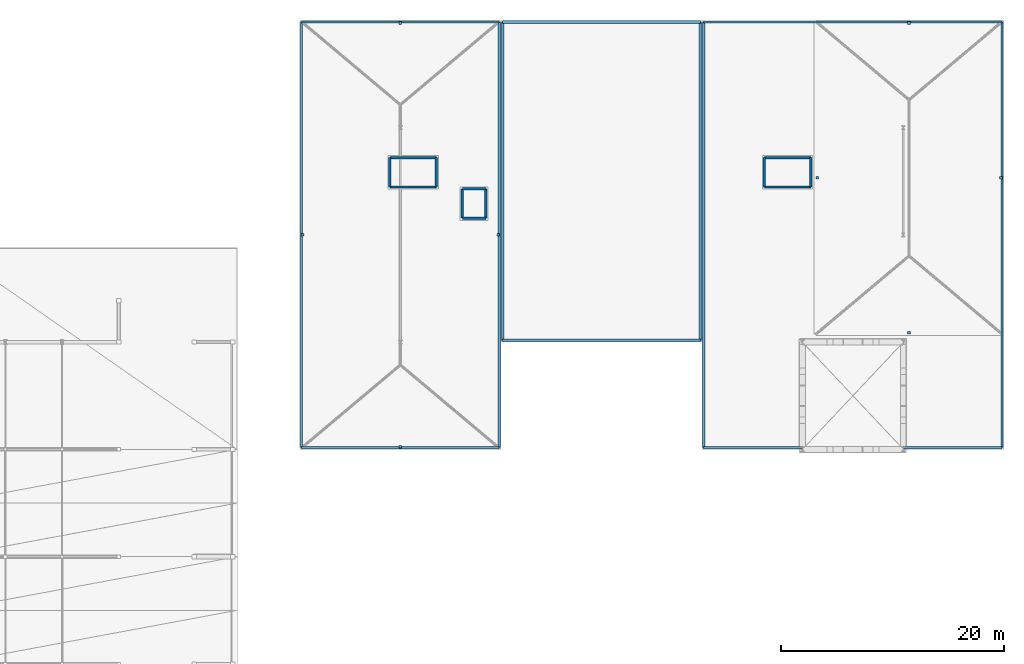
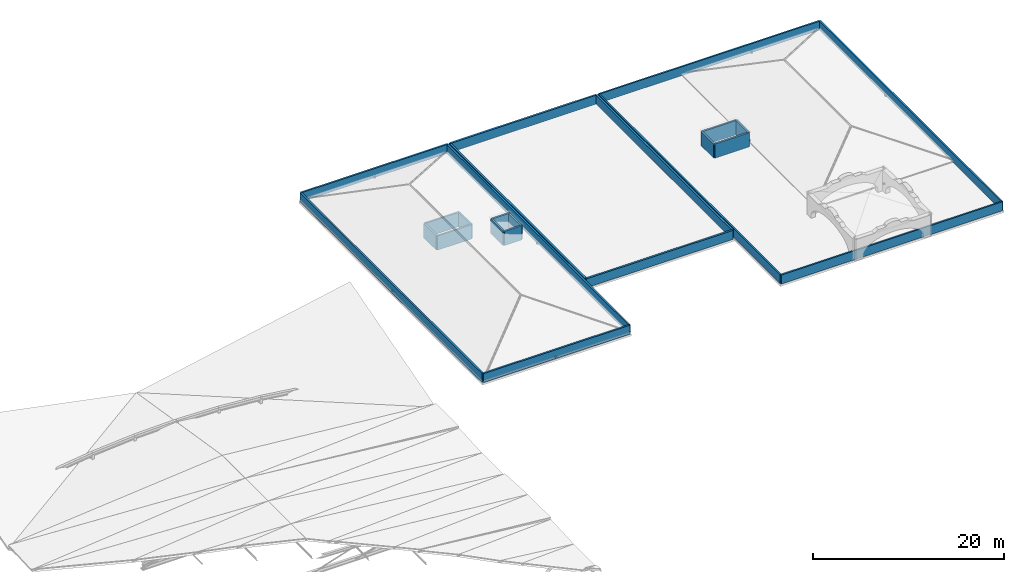
# One storey, part 14 of 16: 24 walls, 8 discrete accessories.
"""IFC4 building model written with IfcOpenShell, lengths in metres."""

from ifc_helpers import new_model, si_unit, direction, frame, frame_2d, origin, origin_2d, place, context, subcontext, project, spatial, rectangle, extrude, material, layer, layer_set, type_object, element, save


model = new_model("IFC4")

# Units and contexts
model_context = context("Model", 3, precision=1e-05, world=origin(), true_north=direction((0.0, 1.0)))
body_context = subcontext(model_context, "Body", "Model", "MODEL_VIEW")
ifc_project = project(units=[si_unit("LENGTHUNIT", "METRE"), si_unit("AREAUNIT", "SQUARE_METRE"), si_unit("VOLUMEUNIT", "CUBIC_METRE"), si_unit("PLANEANGLEUNIT", "RADIAN"), si_unit("MASSUNIT", "GRAM", prefix="KILO")], contexts=[model_context])

# Site, building, storey
site_placement = place(None, origin())
site = spatial("IfcSite", under=ifc_project, at=site_placement, CompositionType="ELEMENT")
building_placement = place(site_placement, origin())
building = spatial("IfcBuilding", under=site, at=building_placement, Name="Myrtia Square Station", CompositionType="ELEMENT")
storey_placement = place(building_placement, frame((0.0, 0.0, 22.800048828125)))
storey = spatial("IfcBuildingStorey", under=building, at=storey_placement, Name="RF", CompositionType="ELEMENT", Elevation=22.800048828125)

# Walls
ifc_material_1 = material(Name="Concrete C35/45", Category="concrete")
ifc_layer_1 = layer(ifc_material_1, 0.219970703125, Name="Concrete C35/45")
ifc_layer_set_1 = layer_set([ifc_layer_1], Name="Concrete C35/45")
wall_type_1 = type_object("IfcWallType", Name="WL-LIFT-220", PredefinedType="SHEAR", material=ifc_layer_set_1)
for number, where, z_axis, x_axis, name in (
    (1, (140.5400390625, 107.090087890625, 0.0), (0.0, 0.0, 1.0), (1.0, 0.0, 0.0), "Lift overrun enclosure wall PL-08 S"),
    (2, (140.5400390625, 109.7099609375, 0.0), (0.0, 0.0, 1.0), (1.0, 0.0, 0.0), "Lift overrun enclosure wall PL-08 N"),
):
    element("IfcWall", number, at=place(storey_placement, frame(where, z_axis=z_axis, x_axis=x_axis)), inside=storey, type_object=wall_type_1, Name=name, PredefinedType="SHEAR", context=body_context, shape_type="SweptSolid", body=[
        extrude(rectangle(XDim=2.119873046875, YDim=0.219970703125, at=frame_2d((1.06005859375, 0.0))), origin(), (0.0, 0.0, 1.0), 1.820068359375),
    ])
for number, where, z_axis, x_axis, name in (
    (3, (140.5400390625, 107.090087890625, 0.0), (0.0, 0.0, 1.0), (0.0, 1.0, 0.0), "Lift overrun enclosure wall PL-08 W"),
    (4, (142.659912109375, 107.090087890625, 0.0), (0.0, 0.0, 1.0), (0.0, 1.0, 0.0), "Lift overrun enclosure wall PL-08 E"),
):
    element("IfcWall", number, at=place(storey_placement, frame(where, z_axis=z_axis, x_axis=x_axis)), inside=storey, type_object=wall_type_1, Name=name, PredefinedType="SHEAR", context=body_context, shape_type="SweptSolid", body=[
        extrude(rectangle(XDim=2.619873046875, YDim=0.219970703125, at=frame_2d((1.31005859375, 0.0))), origin(), (0.0, 0.0, 1.0), 1.820068359375),
    ])
for number, where, z_axis, x_axis, name in (
    (5, (134.070068359375, 109.8798828125, 0.0), (0.0, 0.0, 1.0), (1.0, 0.0, 0.0), "Lift overrun enclosure wall FFL-03 S"),
    (6, (134.070068359375, 112.5, 0.0), (0.0, 0.0, 1.0), (1.0, 0.0, 0.0), "Lift overrun enclosure wall FFL-03 N"),
):
    element("IfcWall", number, at=place(storey_placement, frame(where, z_axis=z_axis, x_axis=x_axis)), inside=storey, type_object=wall_type_1, Name=name, PredefinedType="SHEAR", context=body_context, shape_type="SweptSolid", body=[
        extrude(rectangle(XDim=4.159912109375, YDim=0.219970703125, at=frame_2d((2.080078125, 0.0))), origin(), (0.0, 0.0, 1.0), 1.820068359375),
    ])
for number, where, z_axis, x_axis, name in (
    (7, (134.070068359375, 109.8798828125, 0.0), (0.0, 0.0, 1.0), (0.0, 1.0, 0.0), "Lift overrun enclosure wall FFL-03 W"),
    (8, (138.22998046875, 109.8798828125, 0.0), (0.0, 0.0, 1.0), (0.0, 1.0, 0.0), "Lift overrun enclosure wall FFL-03 E"),
):
    element("IfcWall", number, at=place(storey_placement, frame(where, z_axis=z_axis, x_axis=x_axis)), inside=storey, type_object=wall_type_1, Name=name, PredefinedType="SHEAR", context=body_context, shape_type="SweptSolid", body=[
        extrude(rectangle(XDim=2.6201171875, YDim=0.219970703125, at=frame_2d((1.31005859375, 0.0))), origin(), (0.0, 0.0, 1.0), 1.820068359375),
    ])
for number, where, z_axis, x_axis, name in (
    (9, (167.570068359375, 109.8798828125, 0.0), (0.0, 0.0, 1.0), (1.0, 0.0, 0.0), "Lift overrun enclosure wall FFL-04 S"),
    (10, (167.570068359375, 112.5, 0.0), (0.0, 0.0, 1.0), (1.0, 0.0, 0.0), "Lift overrun enclosure wall FFL-04 N"),
):
    element("IfcWall", number, at=place(storey_placement, frame(where, z_axis=z_axis, x_axis=x_axis)), inside=storey, type_object=wall_type_1, Name=name, PredefinedType="SHEAR", context=body_context, shape_type="SweptSolid", body=[
        extrude(rectangle(XDim=4.159912109375, YDim=0.219970703125, at=frame_2d((2.080078125, 0.0))), origin(), (0.0, 0.0, 1.0), 1.820068359375),
    ])
for number, where, z_axis, x_axis, name in (
    (11, (167.570068359375, 109.8798828125, 0.0), (0.0, 0.0, 1.0), (0.0, 1.0, 0.0), "Lift overrun enclosure wall FFL-04 W"),
    (12, (171.72998046875, 109.8798828125, 0.0), (0.0, 0.0, 1.0), (0.0, 1.0, 0.0), "Lift overrun enclosure wall FFL-04 E"),
):
    element("IfcWall", number, at=place(storey_placement, frame(where, z_axis=z_axis, x_axis=x_axis)), inside=storey, type_object=wall_type_1, Name=name, PredefinedType="SHEAR", context=body_context, shape_type="SweptSolid", body=[
        extrude(rectangle(XDim=2.6201171875, YDim=0.219970703125, at=frame_2d((1.31005859375, 0.0))), origin(), (0.0, 0.0, 1.0), 1.820068359375),
    ])
ifc_material_2 = material(Name="Precast concrete C40/50", Category="concrete")
ifc_layer_2 = layer(ifc_material_2, 0.18994140625, Name="Precast concrete C40/50")
ifc_layer_set_2 = layer_set([ifc_layer_2], Name="Precast concrete C40/50")
wall_type_2 = type_object("IfcWallType", Name="WL-PAR-RC-190", PredefinedType="PARAPET", material=ifc_layer_set_2)
wall_1_placement = place(storey_placement, frame((162.14990234375, 86.550048828125, 0.0), z_axis=(0.0, 0.0, 1.0), x_axis=(1.0, 0.0, 0.0)))
element("IfcWall", 13, at=wall_1_placement, inside=storey, type_object=wall_type_2, Name="Spanish Mission roof parapet 053", PredefinedType="PARAPET", context=body_context, shape_type="SweptSolid", body=[
    extrude(rectangle(XDim=26.7001953125, YDim=0.18994140625, at=frame_2d((13.35009765625, 0.0))), origin(), (0.0, 0.0, 1.0), 1.14990234375),
])
wall_2_placement = place(storey_placement, frame((188.85009765625, 86.550048828125, 0.0), z_axis=(0.0, 0.0, 1.0), x_axis=(0.0, 1.0, 0.0)))
element("IfcWall", 14, at=wall_2_placement, inside=storey, type_object=wall_type_2, Name="Spanish Mission roof parapet 054", PredefinedType="PARAPET", context=body_context, shape_type="SweptSolid", body=[
    extrude(rectangle(XDim=38.099853515625, YDim=0.18994140625, at=frame_2d((19.0498046875, 0.0))), origin(), (0.0, 0.0, 1.0), 1.14990234375),
])
wall_3_placement = place(storey_placement, frame((188.85009765625, 124.64990234375, 0.0), z_axis=(0.0, 0.0, 1.0), x_axis=(-1.0, 0.0, 0.0)))
element("IfcWall", 15, at=wall_3_placement, inside=storey, type_object=wall_type_2, Name="Spanish Mission roof parapet 055", PredefinedType="PARAPET", context=body_context, shape_type="SweptSolid", body=[
    extrude(rectangle(XDim=26.7001953125, YDim=0.18994140625, at=frame_2d((13.35009765625, 0.0))), origin(), (0.0, 0.0, 1.0), 1.14990234375),
])
wall_4_placement = place(storey_placement, frame((162.14990234375, 124.64990234375, 0.0), z_axis=(0.0, 0.0, 1.0), x_axis=(0.0, -1.0, 0.0)))
element("IfcWall", 16, at=wall_4_placement, inside=storey, type_object=wall_type_2, Name="Spanish Mission roof parapet 056", PredefinedType="PARAPET", context=body_context, shape_type="SweptSolid", body=[
    extrude(rectangle(XDim=38.099853515625, YDim=0.18994140625, at=frame_2d((19.0498046875, 0.0))), origin(), (0.0, 0.0, 1.0), 1.14990234375),
])
ifc_material_3 = material(Name="Cream lime stucco on clay brick masonry", Category="masonry")
ifc_layer_3 = layer(ifc_material_3, 0.2099609375, Name="Cream lime stucco on clay brick masonry")
ifc_layer_set_3 = layer_set([ifc_layer_3], Name="Cream lime stucco on clay brick masonry")
wall_type_3 = type_object("IfcWallType", Name="WL-PAR-STUCCO-210", PredefinedType="PARAPET", material=ifc_layer_set_3)
wall_5_placement = place(storey_placement, frame((126.14990234375, 86.550048828125, 0.0), z_axis=(0.0, 0.0, 1.0), x_axis=(1.0, 0.0, 0.0)))
element("IfcWall", 17, at=wall_5_placement, inside=storey, type_object=wall_type_3, Name="Spanish Mission roof parapet 045", PredefinedType="PARAPET", context=body_context, shape_type="SweptSolid", body=[
    extrude(rectangle(XDim=17.7001953125, YDim=0.2099609375, at=frame_2d((8.85009765625, 0.0))), origin(), (0.0, 0.0, 1.0), 1.14990234375),
])
wall_6_placement = place(storey_placement, frame((143.85009765625, 86.550048828125, 0.0), z_axis=(0.0, 0.0, 1.0), x_axis=(0.0, 1.0, 0.0)))
element("IfcWall", 18, at=wall_6_placement, inside=storey, type_object=wall_type_3, Name="Spanish Mission roof parapet 046", PredefinedType="PARAPET", context=body_context, shape_type="SweptSolid", body=[
    extrude(rectangle(XDim=38.099853515625, YDim=0.2099609375, at=frame_2d((19.0498046875, 0.0))), origin(), (0.0, 0.0, 1.0), 1.14990234375),
])
wall_7_placement = place(storey_placement, frame((143.85009765625, 124.64990234375, 0.0), z_axis=(0.0, 0.0, 1.0), x_axis=(-1.0, 0.0, 0.0)))
element("IfcWall", 19, at=wall_7_placement, inside=storey, type_object=wall_type_3, Name="Spanish Mission roof parapet 047", PredefinedType="PARAPET", context=body_context, shape_type="SweptSolid", body=[
    extrude(rectangle(XDim=17.7001953125, YDim=0.2099609375, at=frame_2d((8.85009765625, 0.0))), origin(), (0.0, 0.0, 1.0), 1.14990234375),
])
wall_8_placement = place(storey_placement, frame((126.14990234375, 124.64990234375, 0.0), z_axis=(0.0, 0.0, 1.0), x_axis=(0.0, -1.0, 0.0)))
element("IfcWall", 20, at=wall_8_placement, inside=storey, type_object=wall_type_3, Name="Spanish Mission roof parapet 048", PredefinedType="PARAPET", context=body_context, shape_type="SweptSolid", body=[
    extrude(rectangle(XDim=38.099853515625, YDim=0.2099609375, at=frame_2d((19.0498046875, 0.0))), origin(), (0.0, 0.0, 1.0), 1.14990234375),
])
ifc_layer_4 = layer(ifc_material_3, 0.22998046875, Name="Cream lime stucco on clay brick masonry")
ifc_layer_set_4 = layer_set([ifc_layer_4], Name="Cream lime stucco on clay brick masonry")
wall_type_4 = type_object("IfcWallType", Name="WL-PAR-STUCCO-230", PredefinedType="PARAPET", material=ifc_layer_set_4)
wall_9_placement = place(storey_placement, frame((144.14990234375, 96.14990234375, 0.0), z_axis=(0.0, 0.0, 1.0), x_axis=(1.0, 0.0, 0.0)))
element("IfcWall", 21, at=wall_9_placement, inside=storey, type_object=wall_type_4, Name="Spanish Mission roof parapet 049", PredefinedType="PARAPET", context=body_context, shape_type="SweptSolid", body=[
    extrude(rectangle(XDim=17.7001953125, YDim=0.22998046875, at=frame_2d((8.85009765625, 0.0))), origin(), (0.0, 0.0, 1.0), 1.14990234375),
])
wall_10_placement = place(storey_placement, frame((161.85009765625, 96.14990234375, 0.0), z_axis=(0.0, 0.0, 1.0), x_axis=(0.0, 1.0, 0.0)))
element("IfcWall", 22, at=wall_10_placement, inside=storey, type_object=wall_type_4, Name="Spanish Mission roof parapet 050", PredefinedType="PARAPET", context=body_context, shape_type="SweptSolid", body=[
    extrude(rectangle(XDim=28.5, YDim=0.22998046875, at=frame_2d((14.25, 0.0))), origin(), (0.0, 0.0, 1.0), 1.14990234375),
])
wall_11_placement = place(storey_placement, frame((161.85009765625, 124.64990234375, 0.0), z_axis=(0.0, 0.0, 1.0), x_axis=(-1.0, 0.0, 0.0)))
element("IfcWall", 23, at=wall_11_placement, inside=storey, type_object=wall_type_4, Name="Spanish Mission roof parapet 051", PredefinedType="PARAPET", context=body_context, shape_type="SweptSolid", body=[
    extrude(rectangle(XDim=17.7001953125, YDim=0.22998046875, at=frame_2d((8.85009765625, 0.0))), origin(), (0.0, 0.0, 1.0), 1.14990234375),
])
wall_12_placement = place(storey_placement, frame((144.14990234375, 124.64990234375, 0.0), z_axis=(0.0, 0.0, 1.0), x_axis=(0.0, -1.0, 0.0)))
element("IfcWall", 24, at=wall_12_placement, inside=storey, type_object=wall_type_4, Name="Spanish Mission roof parapet 052", PredefinedType="PARAPET", context=body_context, shape_type="SweptSolid", body=[
    extrude(rectangle(XDim=28.5, YDim=0.22998046875, at=frame_2d((14.25, 0.0))), origin(), (0.0, 0.0, 1.0), 1.14990234375),
])

# Discrete accessories
ifc_material_4 = material(Name="Steel S355", Category="steel")
discrete_accessory_type = type_object("IfcDiscreteAccessoryType", Name="ACC-HIP-SHOE", PredefinedType="BRACKET", material=ifc_material_4)
for number, where, z_axis, x_axis, name in (
    (25, (126.25, 105.60009765625, -0.0302734375), (0.0, 0.0, 1.0), (1.0, 0.0, 0.0), "Hipped roof eave shoe bracket HIP-V5W-W"),
    (26, (143.75, 105.60009765625, -0.0302734375), (0.0, 0.0, 1.0), (1.0, 0.0, 0.0), "Hipped roof eave shoe bracket HIP-V5W-E"),
    (27, (135.0, 86.64990234375, -0.0302734375), (0.0, 0.0, 1.0), (1.0, 0.0, 0.0), "Hipped roof eave shoe bracket HIP-V5W-S"),
    (28, (135.0, 124.550048828125, -0.0302734375), (0.0, 0.0, 1.0), (1.0, 0.0, 0.0), "Hipped roof eave shoe bracket HIP-V5W-N"),
    (29, (172.300048828125, 110.699951171875, -0.0302734375), (0.0, 0.0, 1.0), (1.0, 0.0, 0.0), "Hipped roof eave shoe bracket HIP-V5NE-W"),
    (30, (188.75, 110.699951171875, -0.0302734375), (0.0, 0.0, 1.0), (1.0, 0.0, 0.0), "Hipped roof eave shoe bracket HIP-V5NE-E"),
    (31, (180.52490234375, 96.85009765625, -0.0302734375), (0.0, 0.0, 1.0), (1.0, 0.0, 0.0), "Hipped roof eave shoe bracket HIP-V5NE-S"),
    (32, (180.52490234375, 124.550048828125, -0.0302734375), (0.0, 0.0, 1.0), (1.0, 0.0, 0.0), "Hipped roof eave shoe bracket HIP-V5NE-N"),
):
    element("IfcDiscreteAccessory", number, at=place(storey_placement, frame(where, z_axis=z_axis, x_axis=x_axis)), inside=storey, type_object=discrete_accessory_type, Name=name, PredefinedType="BRACKET", context=body_context, shape_type="SweptSolid", body=[
        extrude(rectangle(XDim=0.239990234375, YDim=0.239990234375, at=origin_2d()), origin(), (0.0, 0.0, 1.0), 0.219970703125),
    ])

save(model, "model.ifc")
